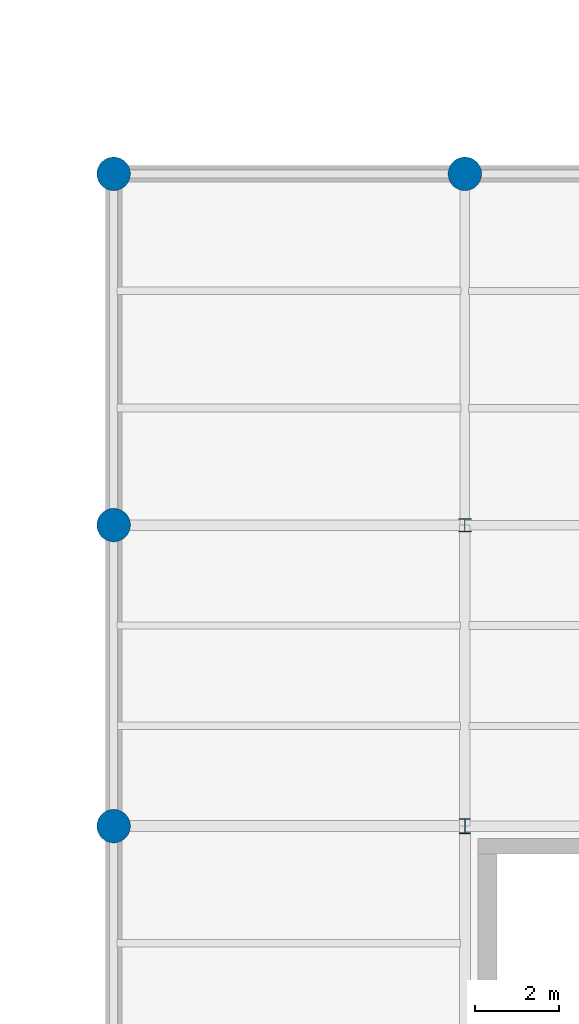
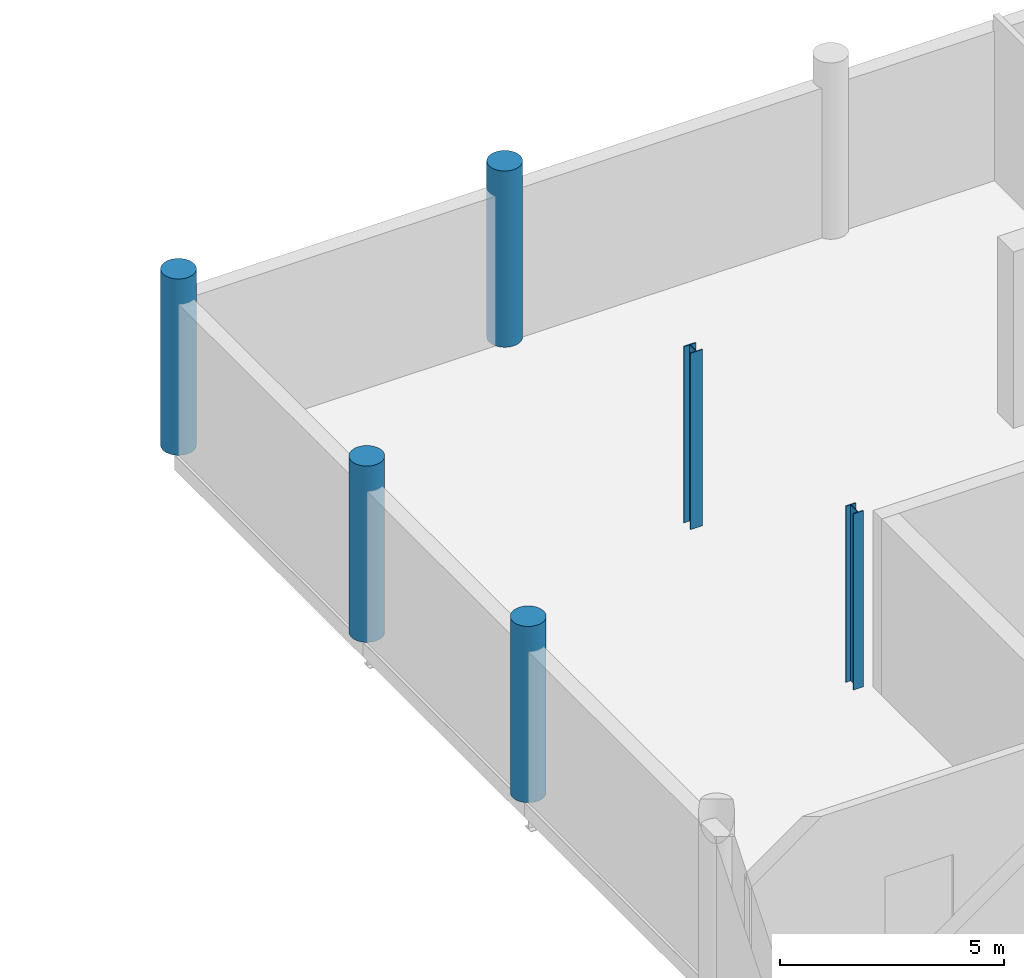
# One storey, part 6 of 94: 6 columns.
"""IFC4 building model written with IfcOpenShell, lengths in metres."""

from ifc_helpers import new_model, si_unit, direction, frame, origin_with_axes, origin_2d_with_axis, place, context, subcontext, project, spatial, circle, i_section, extrude, material, material_profile, profile_set, type_object, element, save


model = new_model("IFC4")

# Units and contexts
model_context = context("Model", 3, precision=1e-05, world=origin_with_axes(), true_north=direction((0.0, 1.0)))
body_context = subcontext(model_context, "Body", "Model", "MODEL_VIEW")
ifc_project = project(units=[si_unit("LENGTHUNIT", "METRE"), si_unit("AREAUNIT", "SQUARE_METRE"), si_unit("VOLUMEUNIT", "CUBIC_METRE"), si_unit("PLANEANGLEUNIT", "RADIAN"), si_unit("MASSUNIT", "GRAM", prefix="KILO"), si_unit("THERMODYNAMICTEMPERATUREUNIT", "KELVIN")], contexts=[model_context])

# Site, building, storey
site_placement = place(None, origin_with_axes())
site = spatial("IfcSite", under=ifc_project, at=site_placement, CompositionType="ELEMENT")
building_placement = place(site_placement, origin_with_axes())
building = spatial("IfcBuilding", under=site, at=building_placement, Name="Montbau Bow Law Courts", CompositionType="ELEMENT")
storey_placement = place(building_placement, frame((0.0, 0.0, 15.6), z_axis=(0.0, 0.0, 1.0), x_axis=(1.0, 0.0, 0.0)))
storey = spatial("IfcBuildingStorey", under=building, at=storey_placement, Name="L03", CompositionType="ELEMENT", Elevation=15.6)

# Columns
ifc_material_1 = material(Name="Concrete CSA A23.1 f'c 40 MPa", Category="concrete")
ifc_material_profile_1 = material_profile(ifc_material_1, circle(Radius=0.4, at=origin_2d_with_axis()), Name="RC800D", Category="Main", Priority=0)
ifc_profile_set_1 = profile_set([ifc_material_profile_1], Name="Concrete CSA A23.1 f'c 40 MPa")
column_type_1 = type_object("IfcColumnType", Name="C-RC-07", PredefinedType="COLUMN", material=ifc_profile_set_1)
for number, where, z_axis, x_axis, name in (
    (1, (121.8, 39.0, 15.6), (0.0, 0.0, 1.0), (1.0, 0.0, 0.0), "C-L03-S0696:col2_0696"),
    (2, (121.8, 46.2, 15.6), (0.0, 0.0, 1.0), (1.0, 0.0, 0.0), "C-L03-S0697:col2_0697"),
    (3, (121.8, 54.6, 15.6), (0.0, 0.0, 1.0), (1.0, 0.0, 0.0), "C-L03-S0698:col2_0698"),
    (4, (130.2, 54.6, 15.6), (0.0, 0.0, 1.0), (1.0, 0.0, 0.0), "C-L03-S0705:col2_0705"),
):
    element("IfcColumn", number, at=place(None, frame(where, z_axis=z_axis, x_axis=x_axis)), inside=storey, type_object=column_type_1, Name=name, PredefinedType="COLUMN", context=body_context, shape_type="SweptSolid", body=[
        extrude(circle(Radius=0.4, at=origin_2d_with_axis()), origin_with_axes(), (0.0, 0.0, 1.0), 4.8),
    ])
ifc_material_2 = material(Name="Steel CSA G40.21 Grade 350W (350 MPa)", Category="steel")
ifc_material_profile_2 = material_profile(ifc_material_2, i_section(OverallWidth=0.257, OverallDepth=0.363, WebThickness=0.013, FlangeThickness=0.0217, at=origin_2d_with_axis()), Name="W360X122", Category="Main", Priority=0)
ifc_profile_set_2 = profile_set([ifc_material_profile_2], Name="Steel CSA G40.21 Grade 350W (350 MPa)")
column_type_2 = type_object("IfcColumnType", Name="C-STL-05", PredefinedType="COLUMN", material=ifc_profile_set_2)
column_1_placement = place(None, frame((130.2, 39.0, 15.6), z_axis=(0.0, 0.0, 1.0), x_axis=(1.0, 0.0, 0.0)))
element("IfcColumn", 5, at=column_1_placement, inside=storey, type_object=column_type_2, Name="C-L03-S0703:col2_0703", PredefinedType="COLUMN", context=body_context, shape_type="SweptSolid", body=[
    extrude(i_section(OverallWidth=0.257, OverallDepth=0.363, WebThickness=0.013, FlangeThickness=0.0217, at=origin_2d_with_axis()), origin_with_axes(), (0.0, 0.0, 1.0), 4.8),
])
ifc_material_profile_3 = material_profile(ifc_material_2, i_section(OverallWidth=0.309, OverallDepth=0.323, WebThickness=0.014, FlangeThickness=0.0229, at=origin_2d_with_axis()), Name="W310X143", Category="Main", Priority=0)
ifc_profile_set_3 = profile_set([ifc_material_profile_3], Name="Steel CSA G40.21 Grade 350W (350 MPa)")
column_type_3 = type_object("IfcColumnType", Name="C-STL-06", PredefinedType="COLUMN", material=ifc_profile_set_3)
column_2_placement = place(None, frame((130.2, 46.2, 15.6), z_axis=(0.0, 0.0, 1.0), x_axis=(1.0, 0.0, 0.0)))
element("IfcColumn", 6, at=column_2_placement, inside=storey, type_object=column_type_3, Name="C-L03-S0704:col2_0704", PredefinedType="COLUMN", context=body_context, shape_type="SweptSolid", body=[
    extrude(i_section(OverallWidth=0.309, OverallDepth=0.323, WebThickness=0.014, FlangeThickness=0.0229, at=origin_2d_with_axis()), origin_with_axes(), (0.0, 0.0, 1.0), 4.8),
])

save(model, "model.ifc")
